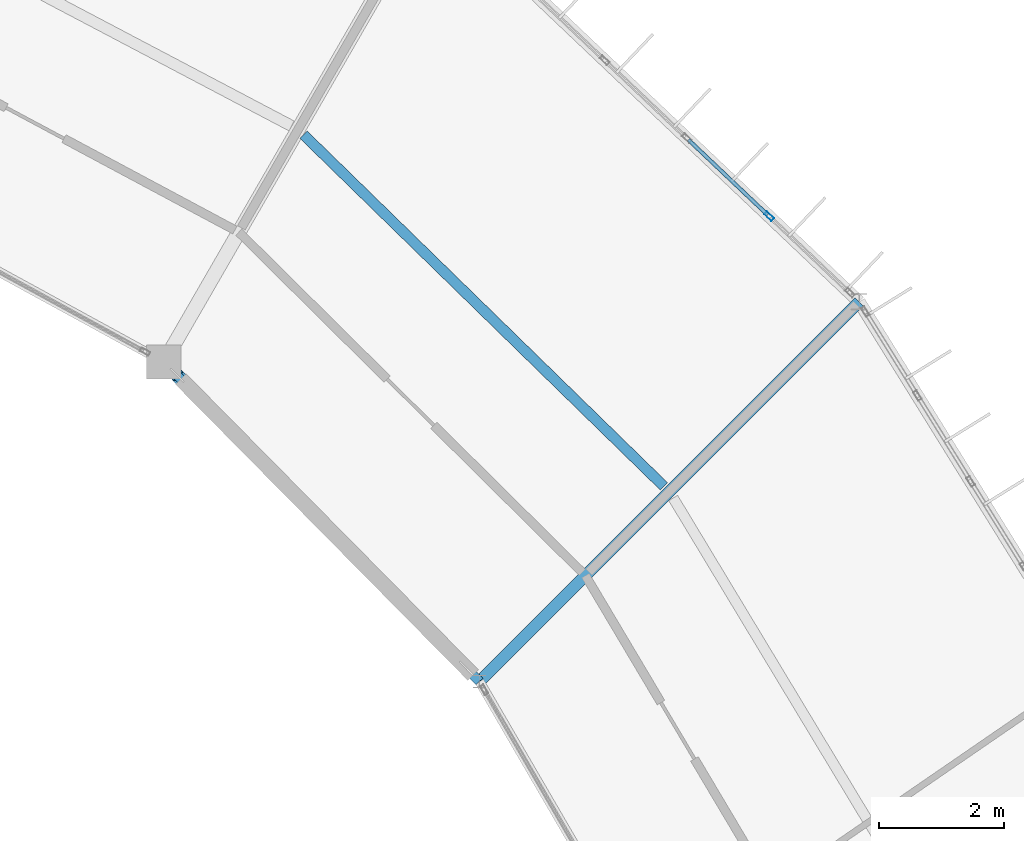
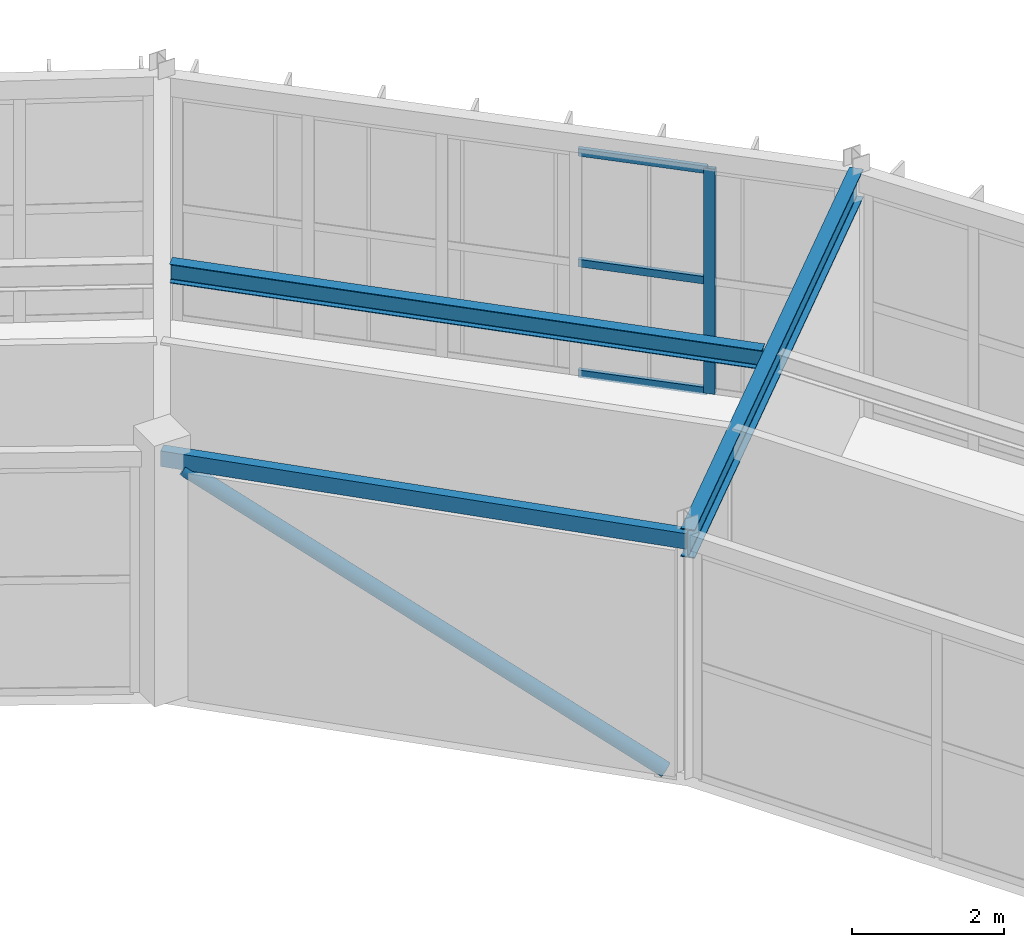
# One storey, part 97 of 157: 5 members, 3 beams, 1 element without a shape of its own.
"""IFC4 building model written with IfcOpenShell, lengths in metres."""

from ifc_helpers import new_model, si_unit, direction, frame, origin, origin_2d, place, context, subcontext, project, spatial, hollow_rectangle, hollow_circle, i_section, extrude, material, material_profile, profile_set, type_object, element, aggregate, save


model = new_model("IFC4")

# Units and contexts
model_context = context("Model", 3, precision=1e-05, world=origin(), true_north=direction((0.0, 1.0)))
body_context = subcontext(model_context, "Body", "Model", "MODEL_VIEW")
ifc_project = project(units=[si_unit("LENGTHUNIT", "METRE"), si_unit("AREAUNIT", "SQUARE_METRE"), si_unit("VOLUMEUNIT", "CUBIC_METRE"), si_unit("PLANEANGLEUNIT", "RADIAN"), si_unit("MASSUNIT", "GRAM", prefix="KILO")], contexts=[model_context])

# Site, building, storey
site_placement = place(None, origin())
site = spatial("IfcSite", under=ifc_project, at=site_placement, CompositionType="ELEMENT")
building_placement = place(site_placement, origin())
building = spatial("IfcBuilding", under=site, at=building_placement, Name="Karori Crest Natural Sciences Institute", CompositionType="ELEMENT")
storey_placement = place(building_placement, frame((0.0, 0.0, 13.300048828125)))
storey = spatial("IfcBuildingStorey", under=building, at=storey_placement, Name="L03", CompositionType="ELEMENT", Elevation=13.300048828125)

# Beams
ifc_material_1 = material(Name="Structural steel AS/NZS 3679.1 Grade 350", Category="steel")
ifc_material_profile_1 = material_profile(ifc_material_1, i_section(OverallWidth=0.19091796875, OverallDepth=0.4599609375, WebThickness=0.010009765625, FlangeThickness=0.01611328125, FilletRadius=0.010986328125, at=origin_2d()), Name="460UB82.1")
ifc_profile_set_1 = profile_set([ifc_material_profile_1], Name="Structural steel AS/NZS 3679.1 Grade 350")
beam_type_1 = type_object("IfcBeamType", Name="BT-06", PredefinedType="BEAM", material=ifc_profile_set_1)
beam_1_placement = place(storey_placement, frame((83.6533203125, 72.668701171875, 3.7099609375), z_axis=(0.707106781187, 0.707106781187, 0.0), x_axis=(-0.707106781187, 0.707106781187, 0.0)))
element("IfcBeam", 1, at=beam_1_placement, inside=storey, type_object=beam_type_1, Name="Beam B-0373", PredefinedType="BEAM", context=body_context, shape_type="SweptSolid", body=[
    extrude(i_section(OverallWidth=0.19091796875, OverallDepth=0.4599609375, WebThickness=0.010009765625, FlangeThickness=0.01611328125, FilletRadius=0.010986328125, at=origin_2d()), origin(), (0.0, 0.0, 1.0), 8.600341796875),
])
ifc_material_profile_2 = material_profile(ifc_material_1, i_section(OverallWidth=0.166015625, OverallDepth=0.306884765625, WebThickness=0.006591796875, FlangeThickness=0.01171875, FilletRadius=0.010986328125, at=origin_2d()), Name="310UB46.2")
ifc_profile_set_2 = profile_set([ifc_material_profile_2], Name="Structural steel AS/NZS 3679.1 Grade 350")
beam_type_2 = type_object("IfcBeamType", Name="BT-09", PredefinedType="BEAM", material=ifc_profile_set_2)
beam_2_placement = place(storey_placement, frame((86.608154296875, 75.793212890625, 3.786376953125), z_axis=(-0.715696324431, 0.698411605857, 0.0), x_axis=(-0.698411605857, -0.715696324431, 0.0)))
element("IfcBeam", 2, at=beam_2_placement, inside=storey, type_object=beam_type_2, Name="Beam B-0374", PredefinedType="BEAM", context=body_context, shape_type="SweptSolid", body=[
    extrude(i_section(OverallWidth=0.166015625, OverallDepth=0.306884765625, WebThickness=0.006591796875, FlangeThickness=0.01171875, FilletRadius=0.010986328125, at=origin_2d()), origin(), (0.0, 0.0, 1.0), 8.065185546875),
])
ifc_material_2 = material(Name="Hollow structural steel AS/NZS 1163 Grade C350", Category="steel")
ifc_material_profile_3 = material_profile(ifc_material_2, hollow_rectangle(XDim=0.14990234375, YDim=0.25, WallThickness=0.009033203125, at=origin_2d()), Name="RHS250x150x9")
ifc_profile_set_3 = profile_set([ifc_material_profile_3], Name="Hollow structural steel AS/NZS 1163 Grade C350")
beam_type_3 = type_object("IfcBeamType", Name="BT-16", PredefinedType="SPANDREL", material=ifc_profile_set_3)
beam_3_placement = place(storey_placement, frame((83.6533203125, 72.668701171875, 3.7900390625), z_axis=(-0.702645672149, 0.711539921164, 0.0), x_axis=(-0.711539921164, -0.702645672149, 0.0)))
element("IfcBeam", 3, at=beam_3_placement, inside=storey, type_object=beam_type_3, Name="Beam B-0372", PredefinedType="SPANDREL", context=body_context, shape_type="SweptSolid", body=[
    extrude(hollow_rectangle(XDim=0.14990234375, YDim=0.25, WallThickness=0.009033203125, at=origin_2d()), origin(), (0.0, 0.0, 1.0), 7.191650390625),
])

# Curtain wall, members
ifc_material_3 = material(Name="Anodised architectural aluminium 6063-T6", Category="aluminium")
curtain_wall_type = type_object("IfcCurtainWallType", Name="CWT-04", PredefinedType="NOTDEFINED", material=ifc_material_3)
curtain_wall_placement = place(storey_placement, origin())
curtain_wall = element("IfcCurtainWall", 4, at=curtain_wall_placement, inside=storey, type_object=curtain_wall_type, Name="Curtain wall CW-0105", PredefinedType="NOTDEFINED")
ifc_material_profile_4 = material_profile(ifc_material_3, hollow_rectangle(XDim=0.06494140625, YDim=0.159912109375, WallThickness=0.00390625, at=origin_2d()), Name="CWM160x65x4")
ifc_profile_set_4 = profile_set([ifc_material_profile_4], Name="Anodised architectural aluminium 6063-T6")
member_type_1 = type_object("IfcMemberType", Name="CWM-01", PredefinedType="MULLION", material=ifc_profile_set_4)
member_1_placement = place(storey_placement, frame((88.29150390625, 80.118896484375, 0.0), z_axis=(0.0, 0.0, 1.0), x_axis=(0.688252251648, 0.725471459192, 0.0)))
member_1 = element("IfcMember", 5, at=member_1_placement, type_object=member_type_1, Name="CW-0105 mullion 5", PredefinedType="MULLION", context=body_context, shape_type="SweptSolid", body=[
    extrude(hollow_rectangle(XDim=0.06494140625, YDim=0.159912109375, WallThickness=0.00390625, at=origin_2d()), origin(), (0.0, 0.0, 1.0), 3.625),
])
ifc_material_profile_5 = material_profile(ifc_material_3, hollow_rectangle(XDim=0.06005859375, YDim=0.1201171875, WallThickness=0.00390625, at=origin_2d()), Name="CWT120x60x4")
ifc_profile_set_5 = profile_set([ifc_material_profile_5], Name="Anodised architectural aluminium 6063-T6")
member_type_2 = type_object("IfcMemberType", Name="CWT-TR1", PredefinedType="USERDEFINED", material=ifc_profile_set_5)
member_2_placement = place(storey_placement, frame((86.99853515625, 81.345458984375, 0.030029296875), z_axis=(0.725490496247, -0.688232184553, 0.0), x_axis=(0.688232184553, 0.725490496247, 0.0)))
member_2 = element("IfcMember", 6, at=member_2_placement, type_object=member_type_2, Name="CW-0105 transom 4.1", ObjectType="TRANSOM", PredefinedType="USERDEFINED", context=body_context, shape_type="SweptSolid", body=[
    extrude(hollow_rectangle(XDim=0.06005859375, YDim=0.1201171875, WallThickness=0.00390625, at=origin_2d()), origin(), (0.0, 0.0, 1.0), 1.74951171875),
])
member_3_placement = place(storey_placement, frame((86.99853515625, 81.345458984375, 1.8125), z_axis=(0.725490496247, -0.688232184553, 0.0), x_axis=(0.688232184553, 0.725490496247, 0.0)))
member_3 = element("IfcMember", 7, at=member_3_placement, type_object=member_type_2, Name="CW-0105 transom 4.2", ObjectType="TRANSOM", PredefinedType="USERDEFINED", context=body_context, shape_type="SweptSolid", body=[
    extrude(hollow_rectangle(XDim=0.06005859375, YDim=0.1201171875, WallThickness=0.00390625, at=origin_2d()), origin(), (0.0, 0.0, 1.0), 1.74951171875),
])
member_4_placement = place(storey_placement, frame((86.99853515625, 81.345458984375, 3.594970703125), z_axis=(0.725490496247, -0.688232184553, 0.0), x_axis=(0.688232184553, 0.725490496247, 0.0)))
member_4 = element("IfcMember", 8, at=member_4_placement, type_object=member_type_2, Name="CW-0105 transom 4.3", ObjectType="TRANSOM", PredefinedType="USERDEFINED", context=body_context, shape_type="SweptSolid", body=[
    extrude(hollow_rectangle(XDim=0.06005859375, YDim=0.1201171875, WallThickness=0.00390625, at=origin_2d()), origin(), (0.0, 0.0, 1.0), 1.74951171875),
])
aggregate(curtain_wall, [member_1, member_2, member_3, member_4])

# Member
ifc_material_profile_6 = material_profile(ifc_material_2, hollow_circle(Radius=0.109619140625, WallThickness=0.00830078125, at=origin_2d()), Name="CHS219.1x8.2")
ifc_profile_set_6 = profile_set([ifc_material_profile_6], Name="Hollow structural steel AS/NZS 1163 Grade C350")
member_type_3 = type_object("IfcMemberType", Name="MT-02", PredefinedType="BRACE", material=ifc_profile_set_6)
member_5_placement = place(storey_placement, frame((83.442626953125, 72.88232421875, 0.010009765625), z_axis=(-0.615119484546, 0.62286845971, 0.483386906763), x_axis=(-0.711518857686, -0.702667001614, 0.0)))
element("IfcMember", 9, at=member_5_placement, inside=storey, type_object=member_type_3, Name="Diagonal Brace M-0017", PredefinedType="BRACE", context=body_context, shape_type="SweptSolid", body=[
    extrude(hollow_circle(Radius=0.109619140625, WallThickness=0.00830078125, at=origin_2d()), origin(), (0.0, 0.0, 1.0), 7.530029296875),
])

save(model, "model.ifc")
